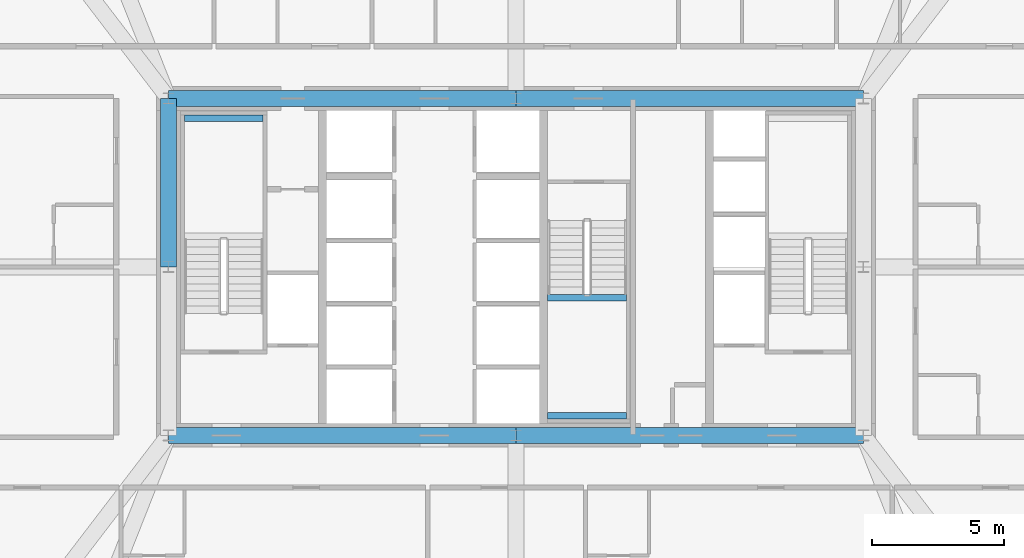
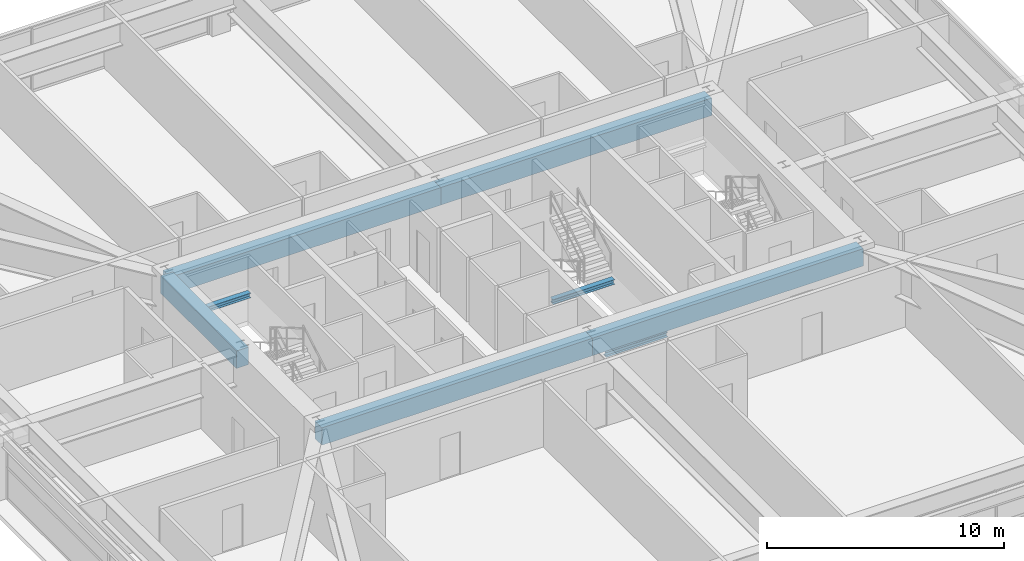
# One storey, part 12 of 44: 8 beams.
"""IFC4 building model written with IfcOpenShell, lengths in metres."""

from ifc_helpers import new_model, si_unit, direction, frame, origin, origin_2d, place, context, subcontext, project, spatial, rectangle, i_section, extrude, source, transform, mapped, material, material_profile, profile_set, type_object, element, save


model = new_model("IFC4")

# Units and contexts
model_context = context("Model", 3, precision=1e-05, world=origin(), true_north=direction((0.0, 1.0)))
body_context = subcontext(model_context, "Body", "Model", "MODEL_VIEW")
ifc_project = project(units=[si_unit("LENGTHUNIT", "METRE"), si_unit("AREAUNIT", "SQUARE_METRE"), si_unit("VOLUMEUNIT", "CUBIC_METRE"), si_unit("PLANEANGLEUNIT", "RADIAN"), si_unit("MASSUNIT", "GRAM", prefix="KILO"), si_unit("THERMODYNAMICTEMPERATUREUNIT", "KELVIN"), si_unit("POWERUNIT", "WATT")], contexts=[model_context])

# Site, building, storey
site_placement = place(None, origin())
site = spatial("IfcSite", under=ifc_project, at=site_placement, CompositionType="ELEMENT")
building_placement = place(site_placement, origin())
building = spatial("IfcBuilding", under=site, at=building_placement, Name="Yuzanri Waterfront Tower", CompositionType="ELEMENT")
storey_placement = place(building_placement, frame((0.0, 0.0, 82.0)))
storey = spatial("IfcBuildingStorey", under=building, at=storey_placement, Name="L21", CompositionType="ELEMENT", Elevation=82.0)

# Beams
ifc_material_1 = material(Name="Concrete C60", Category="concrete")
ifc_material_profile_1 = material_profile(ifc_material_1, rectangle(XDim=0.60009765625, YDim=0.89990234375, at=origin_2d()), Name="RC 600x900")
ifc_profile_set_1 = profile_set([ifc_material_profile_1], Name="Concrete C60")
beam_type_1 = type_object("IfcBeamType", Name="Core Coupling Lintel Concrete C60 600x900", PredefinedType="LINTEL", material=ifc_profile_set_1)
shared_shape_1 = source(origin(), body_context, "Body", "SweptSolid", [
    extrude(rectangle(XDim=0.60009765625, YDim=0.89990234375, at=origin_2d()), origin(), (0.0, 0.0, 1.0), 13.199951171875),
])
for number, where, z_axis, x_axis, name in (
    (1, (23.800048828125, 19.39990234375, 2.8701171875), (1.0, 0.0, 0.0), (0.0, 1.0, 0.0), "L21 Core Tie Beam CS1"),
    (2, (37.0, 19.39990234375, 2.8701171875), (1.0, 0.0, 0.0), (0.0, 1.0, 0.0), "L21 Core Tie Beam CS2"),
    (3, (23.800048828125, 32.199951171875, 2.8701171875), (1.0, 0.0, 0.0), (0.0, 1.0, 0.0), "L21 Core Tie Beam CN1"),
    (4, (37.0, 32.199951171875, 2.8701171875), (1.0, 0.0, 0.0), (0.0, 1.0, 0.0), "L21 Core Tie Beam CN2"),
):
    element("IfcBeam", number, at=place(storey_placement, frame(where, z_axis=z_axis, x_axis=x_axis)), inside=storey, type_object=beam_type_1, Name=name, PredefinedType="LINTEL", context=body_context, shape_type="MappedRepresentation", body=[
        mapped(shared_shape_1, transform((0.0, 0.0, 0.0), scale=1.0)),
    ])
shared_shape_2 = source(origin(), body_context, "Body", "SweptSolid", [
    extrude(rectangle(XDim=0.60009765625, YDim=0.89990234375, at=origin_2d()), origin(), (0.0, 0.0, 1.0), 6.39990234375),
])
beam_placement = place(storey_placement, frame((23.800048828125, 25.800048828125, 2.8701171875), z_axis=(0.0, 1.0, 0.0), x_axis=(-1.0, 0.0, 0.0)))
element("IfcBeam", 5, at=beam_placement, inside=storey, type_object=beam_type_1, Name="L21 Core Tie Beam CW2", PredefinedType="LINTEL", context=body_context, shape_type="MappedRepresentation", body=[
    mapped(shared_shape_2, transform((0.0, 0.0, 0.0), scale=1.0)),
])
ifc_material_2 = material(Name="Steel Q355B", Category="steel")
ifc_material_profile_2 = material_profile(ifc_material_2, i_section(OverallWidth=0.25, OverallDepth=0.25, WebThickness=0.009033203125, FlangeThickness=0.013916015625, at=origin_2d()), Name="HW 250x250x9x14")
ifc_profile_set_2 = profile_set([ifc_material_profile_2], Name="Steel Q355B")
beam_type_2 = type_object("IfcBeamType", Name="Stair Landing Support Beam Q355B HW 250x250", PredefinedType="BEAM", material=ifc_profile_set_2)
shared_shape_3 = source(origin(), body_context, "Body", "SweptSolid", [
    extrude(i_section(OverallWidth=0.25, OverallDepth=0.25, WebThickness=0.009033203125, FlangeThickness=0.013916015625, at=origin_2d()), origin(), (0.0, 0.0, 1.0), 3.0),
])
for number, where, z_axis, x_axis, name in (
    (6, (24.39990234375, 31.449951171875, 1.47509765625), (1.0, 0.0, 0.0), (0.0, 1.0, 0.0), "L21 Stair Landing Support Beam ST-01-L21-L1-2"),
    (7, (38.199951171875, 20.14990234375, 1.47509765625), (1.0, 0.0, 0.0), (0.0, 1.0, 0.0), "L21 Stair Landing Support Beam ST-03-L21-L1-1"),
    (8, (38.199951171875, 24.6298828125, 1.47509765625), (1.0, 0.0, 0.0), (0.0, 1.0, 0.0), "L21 Stair Landing Support Beam ST-03-L21-L1-2"),
):
    element("IfcBeam", number, at=place(storey_placement, frame(where, z_axis=z_axis, x_axis=x_axis)), inside=storey, type_object=beam_type_2, Name=name, PredefinedType="BEAM", context=body_context, shape_type="MappedRepresentation", body=[
        mapped(shared_shape_3, transform((0.0, 0.0, 0.0), scale=1.0)),
    ])

save(model, "model.ifc")
